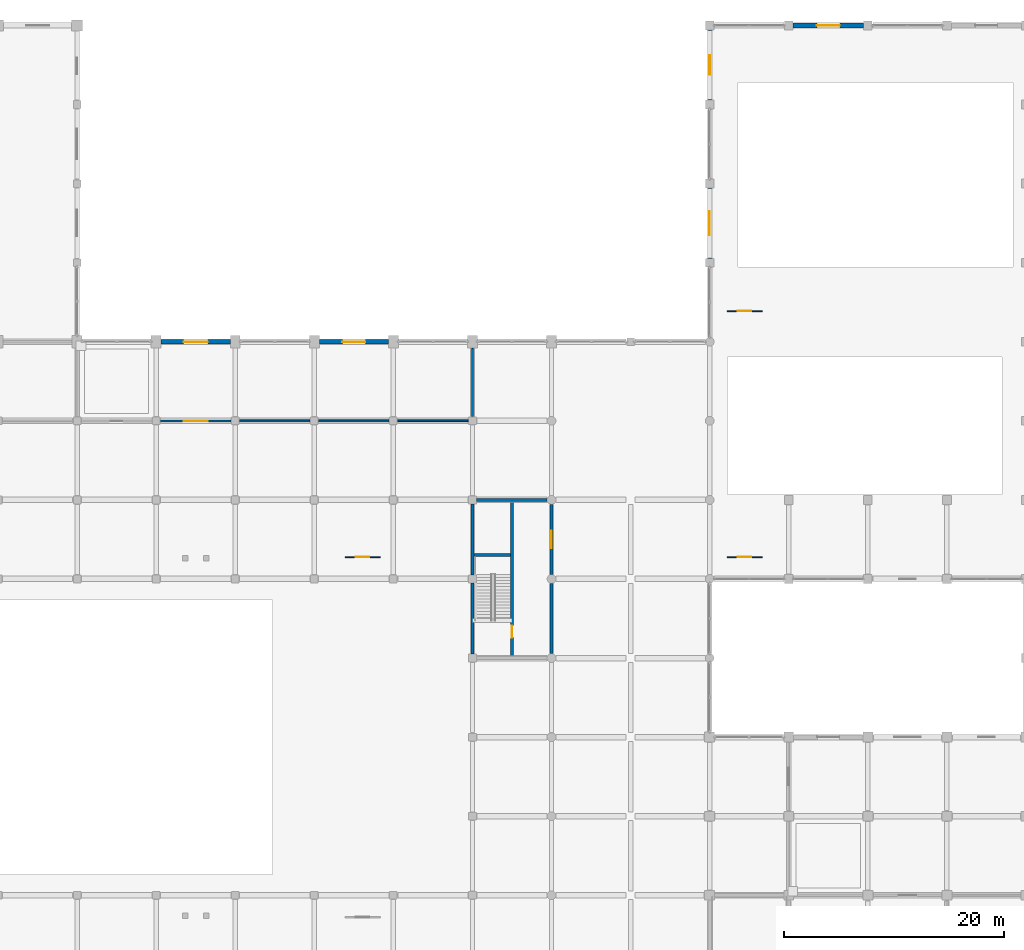
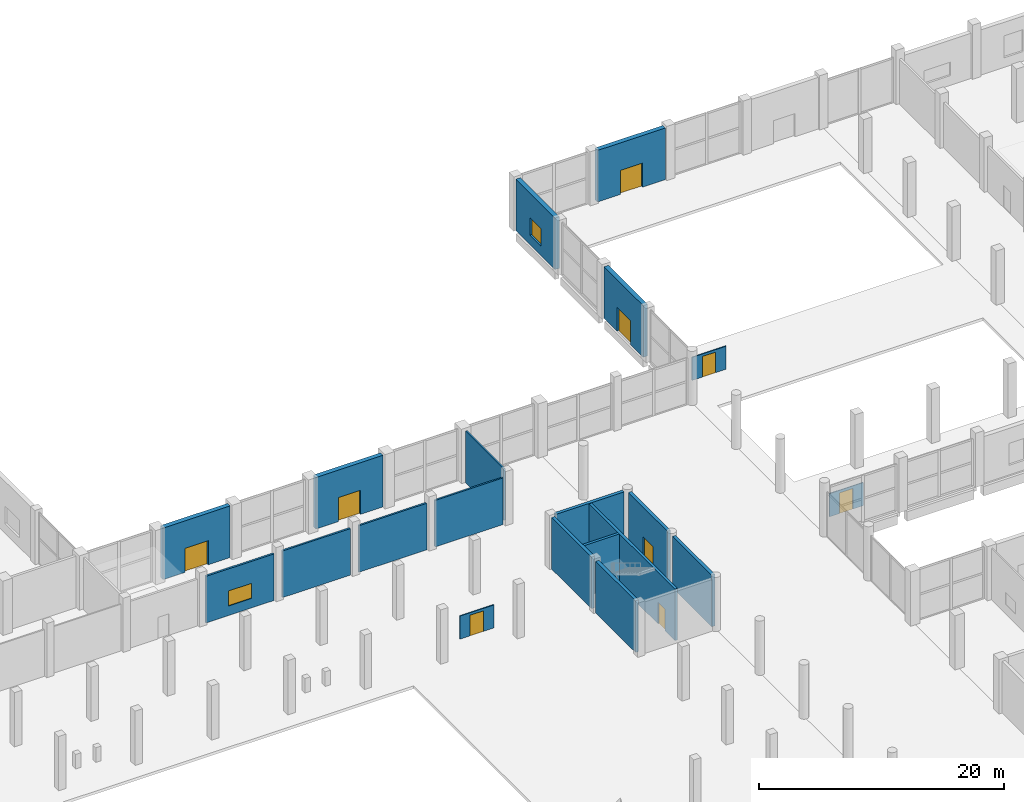
# One storey, part 49 of 70: 20 walls, 9 doors, 2 windows, 11 openings.
"""IFC4 building model written with IfcOpenShell, lengths in metres."""

from ifc_helpers import new_model, si_unit, direction, frame, frame_2d, origin, place, context, subcontext, project, spatial, rectangle, extrude, material, layer, layer_set, type_object, element, fill, save


model = new_model("IFC4")

# Units and contexts
model_context = context("Model", 3, precision=1e-05, world=origin(), true_north=direction((0.0, 1.0)))
body_context = subcontext(model_context, "Body", "Model", "MODEL_VIEW")
ifc_project = project(units=[si_unit("LENGTHUNIT", "METRE"), si_unit("AREAUNIT", "SQUARE_METRE"), si_unit("VOLUMEUNIT", "CUBIC_METRE"), si_unit("PLANEANGLEUNIT", "RADIAN"), si_unit("MASSUNIT", "GRAM", prefix="KILO")], contexts=[model_context])

# Site, building, storey
site_placement = place(None, origin())
site = spatial("IfcSite", under=ifc_project, at=site_placement, CompositionType="ELEMENT")
building_placement = place(site_placement, origin())
building = spatial("IfcBuilding", under=site, at=building_placement, Name="Vesperath Aquatics Centre", CompositionType="ELEMENT")
storey_placement = place(building_placement, origin())
storey = spatial("IfcBuildingStorey", under=building, at=storey_placement, Name="L00", CompositionType="ELEMENT", Elevation=0.0)

# Wall, opening, door
ifc_material_1 = material(Name="Liaoning grey granite ashlar insulated cavity wall", Category="masonry")
ifc_layer_1 = layer(ifc_material_1, 0.419921875)
ifc_layer_set_1 = layer_set([ifc_layer_1], Name="Liaoning grey granite ashlar insulated cavity wall")
wall_type_1 = type_object("IfcWallType", Name="WL-EW01", PredefinedType="SOLIDWALL", material=ifc_layer_set_1)
wall_1_placement = place(storey_placement, frame((65.25, 86.39990234375, 0.0), z_axis=(0.0, 0.0, 1.0), x_axis=(1.0, 0.0, 0.0)))
wall_1 = element("IfcWall", 1, at=wall_1_placement, inside=storey, type_object=wall_type_1, Name="Exterior Wall EW01 L00_N_09_12", PredefinedType="SOLIDWALL", context=body_context, shape_type="SweptSolid", body=[
    extrude(rectangle(XDim=6.300048828125, YDim=0.419921875, at=frame_2d((3.14990234375, 0.0))), origin(), (0.0, 0.0, 1.0), 5.139892578125),
])
opening_1_placement = place(wall_1_placement, frame((2.050048828125, 0.0, 0.0)))
opening_1 = element("IfcOpeningElement", 2, at=opening_1_placement, cuts=wall_1, Name="Opening EX01", PredefinedType="OPENING", context=body_context, shape_type="SweptSolid", body=[
    extrude(rectangle(XDim=2.199951171875, YDim=2.39990234375, at=frame_2d((1.10009765625, 1.199951171875))), frame((0.0, 0.224853515625, 0.0), z_axis=(0.0, -1.0, 0.0), x_axis=(1.0, 0.0, 0.0)), (0.0, 0.0, 1.0), 0.44970703125),
])
ifc_material_2 = material(Name="Thermally broken bronze-anodised glazed aluminium door", Category="aluminium")
door_type_1 = type_object("IfcDoorType", Name="DR-EX01", OperationType="DOUBLE_SWING_LEFT", PredefinedType="DOOR", material=ifc_material_2)
door_1_placement = place(opening_1_placement, origin())
door_1 = element("IfcDoor", 3, at=door_1_placement, inside=storey, type_object=door_type_1, Name="Final Exit Door EX01 L00_N_09_12", OperationType="DOUBLE_SWING_LEFT", OverallHeight=2.39990234375, OverallWidth=2.199951171875, PredefinedType="DOOR", context=body_context, shape_type="SweptSolid", body=[
    extrude(rectangle(XDim=2.199951171875, YDim=2.39990234375, at=frame_2d((1.10009765625, 1.199951171875))), frame((0.0, 0.02490234375, 0.0), z_axis=(0.0, -1.0, 0.0), x_axis=(1.0, 0.0, 0.0)), (0.0, 0.0, 1.0), 0.050048828125),
])
fill(opening_1, door_1)

wall_2_placement = place(storey_placement, frame((79.64990234375, 86.39990234375, 0.0), z_axis=(0.0, 0.0, 1.0), x_axis=(1.0, 0.0, 0.0)))
wall_2 = element("IfcWall", 4, at=wall_2_placement, inside=storey, type_object=wall_type_1, Name="Exterior Wall EW01 L00_N_11_12", PredefinedType="SOLIDWALL", context=body_context, shape_type="SweptSolid", body=[
    extrude(rectangle(XDim=6.300048828125, YDim=0.419921875, at=frame_2d((3.14990234375, 0.0))), origin(), (0.0, 0.0, 1.0), 5.139892578125),
])
opening_2_placement = place(wall_2_placement, frame((2.10009765625, 0.0, 0.0)))
opening_2 = element("IfcOpeningElement", 5, at=opening_2_placement, cuts=wall_2, Name="Opening EX02", PredefinedType="OPENING", context=body_context, shape_type="SweptSolid", body=[
    extrude(rectangle(XDim=2.10009765625, YDim=2.39990234375, at=frame_2d((1.050048828125, 1.199951171875))), frame((0.0, 0.224853515625, 0.0), z_axis=(0.0, -1.0, 0.0), x_axis=(1.0, 0.0, 0.0)), (0.0, 0.0, 1.0), 0.44970703125),
])
door_type_2 = type_object("IfcDoorType", Name="DR-EX02", OperationType="DOUBLE_SWING_LEFT", PredefinedType="DOOR", material=ifc_material_2)
door_2_placement = place(opening_2_placement, origin())
door_2 = element("IfcDoor", 6, at=door_2_placement, inside=storey, type_object=door_type_2, Name="Final Exit Door EX02 L00_N_11_12", OperationType="DOUBLE_SWING_LEFT", OverallHeight=2.39990234375, OverallWidth=2.10009765625, PredefinedType="DOOR", context=body_context, shape_type="SweptSolid", body=[
    extrude(rectangle(XDim=2.10009765625, YDim=2.39990234375, at=frame_2d((1.050048828125, 1.199951171875))), frame((0.0, 0.02490234375, 0.0), z_axis=(0.0, -1.0, 0.0), x_axis=(1.0, 0.0, 0.0)), (0.0, 0.0, 1.0), 0.050048828125),
])
fill(opening_2, door_2)

wall_3_placement = place(storey_placement, frame((122.800048828125, 115.199951171875, 0.0), z_axis=(0.0, 0.0, 1.0), x_axis=(1.0, 0.0, 0.0)))
wall_3 = element("IfcWall", 7, at=wall_3_placement, inside=storey, type_object=wall_type_1, Name="Exterior Wall EW01 L00_N_17_16", PredefinedType="SOLIDWALL", context=body_context, shape_type="SweptSolid", body=[
    extrude(rectangle(XDim=6.39990234375, YDim=0.419921875, at=frame_2d((3.199951171875, 0.0))), origin(), (0.0, 0.0, 1.0), 5.139892578125),
])
opening_3_placement = place(wall_3_placement, frame((2.14990234375, 0.0, 0.0)))
opening_3 = element("IfcOpeningElement", 8, at=opening_3_placement, cuts=wall_3, Name="Opening EX02", PredefinedType="OPENING", context=body_context, shape_type="SweptSolid", body=[
    extrude(rectangle(XDim=2.10009765625, YDim=2.39990234375, at=frame_2d((1.050048828125, 1.199951171875))), frame((0.0, 0.224853515625, 0.0), z_axis=(0.0, -1.0, 0.0), x_axis=(1.0, 0.0, 0.0)), (0.0, 0.0, 1.0), 0.44970703125),
])
door_3_placement = place(opening_3_placement, origin())
door_3 = element("IfcDoor", 9, at=door_3_placement, inside=storey, type_object=door_type_2, Name="Final Exit Door EX02 L00_N_17_16", OperationType="DOUBLE_SWING_LEFT", OverallHeight=2.39990234375, OverallWidth=2.10009765625, PredefinedType="DOOR", context=body_context, shape_type="SweptSolid", body=[
    extrude(rectangle(XDim=2.10009765625, YDim=2.39990234375, at=frame_2d((1.050048828125, 1.199951171875))), frame((0.0, 0.02490234375, 0.0), z_axis=(0.0, -1.0, 0.0), x_axis=(1.0, 0.0, 0.0)), (0.0, 0.0, 1.0), 0.050048828125),
])
fill(opening_3, door_3)

wall_4_placement = place(storey_placement, frame((115.199951171875, 94.0, 0.0), z_axis=(0.0, 0.0, 1.0), x_axis=(0.0, 1.0, 0.0)))
wall_4 = element("IfcWall", 10, at=wall_4_placement, inside=storey, type_object=wall_type_1, Name="Exterior Wall EW01 L00_W_16_13", PredefinedType="SOLIDWALL", context=body_context, shape_type="SweptSolid", body=[
    extrude(rectangle(XDim=6.39990234375, YDim=0.419921875, at=frame_2d((3.199951171875, 0.0))), origin(), (0.0, 0.0, 1.0), 5.139892578125),
])
opening_4_placement = place(wall_4_placement, frame((2.10009765625, 0.0, 0.0)))
opening_4 = element("IfcOpeningElement", 11, at=opening_4_placement, cuts=wall_4, Name="Opening EX01", PredefinedType="OPENING", context=body_context, shape_type="SweptSolid", body=[
    extrude(rectangle(XDim=2.199951171875, YDim=2.39990234375, at=frame_2d((1.10009765625, 1.199951171875))), frame((0.0, 0.224853515625, 0.0), z_axis=(0.0, -1.0, 0.0), x_axis=(1.0, 0.0, 0.0)), (0.0, 0.0, 1.0), 0.44970703125),
])
door_4_placement = place(opening_4_placement, origin())
door_4 = element("IfcDoor", 12, at=door_4_placement, inside=storey, type_object=door_type_1, Name="Final Exit Door EX01 L00_W_16_13", OperationType="DOUBLE_SWING_LEFT", OverallHeight=2.39990234375, OverallWidth=2.199951171875, PredefinedType="DOOR", context=body_context, shape_type="SweptSolid", body=[
    extrude(rectangle(XDim=2.199951171875, YDim=2.39990234375, at=frame_2d((1.10009765625, 1.199951171875))), frame((0.0, 0.02490234375, 0.0), z_axis=(0.0, -1.0, 0.0), x_axis=(1.0, 0.0, 0.0)), (0.0, 0.0, 1.0), 0.050048828125),
])
fill(opening_4, door_4)

# Wall, opening, window
wall_5_placement = place(storey_placement, frame((115.199951171875, 108.39990234375, 0.0), z_axis=(0.0, 0.0, 1.0), x_axis=(0.0, 1.0, 0.0)))
wall_5 = element("IfcWall", 13, at=wall_5_placement, inside=storey, type_object=wall_type_1, Name="Exterior Wall EW01 L00_W_16_15", PredefinedType="SOLIDWALL", context=body_context, shape_type="SweptSolid", body=[
    extrude(rectangle(XDim=6.400146484375, YDim=0.419921875, at=frame_2d((3.2001953125, 0.0))), origin(), (0.0, 0.0, 1.0), 5.139892578125),
])
opening_5_placement = place(wall_5_placement, frame((2.300048828125, 0.0, 0.949951171875)))
opening_5 = element("IfcOpeningElement", 14, at=opening_5_placement, cuts=wall_5, Name="Opening W12", PredefinedType="OPENING", context=body_context, shape_type="SweptSolid", body=[
    extrude(rectangle(XDim=1.800048828125, YDim=1.75, at=frame_2d((0.89990234375, 0.875))), frame((0.0, 0.224853515625, 0.0), z_axis=(0.0, -1.0, 0.0), x_axis=(1.0, 0.0, 0.0)), (0.0, 0.0, 1.0), 0.44970703125),
])
ifc_material_3 = material(Name="Thermally broken aluminium triple-glazed window", Category="aluminium")
window_type_1 = type_object("IfcWindowType", Name="WN-W12", PartitioningType="SINGLE_PANEL", PredefinedType="WINDOW", material=ifc_material_3)
window_1_placement = place(opening_5_placement, origin())
window_1 = element("IfcWindow", 15, at=window_1_placement, inside=storey, type_object=window_type_1, Name="Deep-Reveal Casement Window W12 L00_W_16_15", OverallHeight=1.75, OverallWidth=1.800048828125, PartitioningType="SINGLE_PANEL", PredefinedType="WINDOW", context=body_context, shape_type="SweptSolid", body=[
    extrude(rectangle(XDim=1.800048828125, YDim=1.75, at=frame_2d((0.89990234375, 0.875))), frame((0.0, 0.030029296875, 0.0), z_axis=(0.0, -1.0, 0.0), x_axis=(1.0, 0.0, 0.0)), (0.0, 0.0, 1.0), 0.06005859375),
])
fill(opening_5, window_1)

ifc_material_4 = material(Name="Double-stud acoustic studio partition", Category="gypsum")
ifc_layer_2 = layer(ifc_material_4, 0.18505859375)
ifc_layer_set_2 = layer_set([ifc_layer_2], Name="Double-stud acoustic studio partition")
wall_type_2 = type_object("IfcWallType", Name="WL-IW01", PredefinedType="PARTITIONING", material=ifc_layer_set_2)
wall_6_placement = place(storey_placement, frame((65.199951171875, 79.199951171875, 0.0), z_axis=(0.0, 0.0, 1.0), x_axis=(1.0, 0.0, 0.0)))
wall_6 = element("IfcWall", 16, at=wall_6_placement, inside=storey, type_object=wall_type_2, Name="Interior Partition IW01 L00_MEDIA_MIX-S2", PredefinedType="PARTITIONING", context=body_context, shape_type="SweptSolid", body=[
    extrude(rectangle(XDim=6.400146484375, YDim=0.18505859375, at=frame_2d((3.2001953125, 0.0))), origin(), (0.0, 0.0, 1.0), 4.639892578125),
])
opening_6_placement = place(wall_6_placement, frame((2.10009765625, 0.0, 0.949951171875)))
opening_6 = element("IfcOpeningElement", 17, at=opening_6_placement, cuts=wall_6, Name="Opening VW03", PredefinedType="OPENING", context=body_context, shape_type="SweptSolid", body=[
    extrude(rectangle(XDim=2.199951171875, YDim=1.5, at=frame_2d((1.10009765625, 0.75))), frame((0.0, 0.107421875, 0.0), z_axis=(0.0, -1.0, 0.0), x_axis=(1.0, 0.0, 0.0)), (0.0, 0.0, 1.0), 0.21484375),
])
ifc_material_5 = material(Name="Acoustic laminated interior viewing glazing", Category="glass")
window_type_2 = type_object("IfcWindowType", Name="WN-IW03", PartitioningType="SINGLE_PANEL", PredefinedType="WINDOW", material=ifc_material_5)
window_2_placement = place(opening_6_placement, origin())
window_2 = element("IfcWindow", 18, at=window_2_placement, inside=storey, type_object=window_type_2, Name="Interior Viewing Window VW03 L00_MEDIA_MIX", OverallHeight=1.5, OverallWidth=2.199951171875, PartitioningType="SINGLE_PANEL", PredefinedType="WINDOW", context=body_context, shape_type="SweptSolid", body=[
    extrude(rectangle(XDim=2.199951171875, YDim=1.5, at=frame_2d((1.10009765625, 0.75))), frame((0.0, 0.030029296875, 0.0), z_axis=(0.0, -1.0, 0.0), x_axis=(1.0, 0.0, 0.0)), (0.0, 0.0, 1.0), 0.06005859375),
])
fill(opening_6, window_2)

# Walls
ifc_material_6 = material(Name="Moisture-resistant tiled wet partition", Category="gypsum")
ifc_layer_3 = layer(ifc_material_6, 0.175048828125)
ifc_layer_set_3 = layer_set([ifc_layer_3], Name="Moisture-resistant tiled wet partition")
wall_type_3 = type_object("IfcWallType", Name="WL-IW02", PredefinedType="PARTITIONING", material=ifc_layer_set_3)
wall_7_placement = place(storey_placement, frame((72.39990234375, 79.199951171875, 0.0), z_axis=(0.0, 0.0, 1.0), x_axis=(1.0, 0.0, 0.0)))
element("IfcWall", 19, at=wall_7_placement, inside=storey, type_object=wall_type_3, Name="Interior Partition IW02 L00_MEDIA_MIX-S3", PredefinedType="PARTITIONING", context=body_context, shape_type="SweptSolid", body=[
    extrude(rectangle(XDim=6.400146484375, YDim=0.175048828125, at=frame_2d((3.2001953125, 0.0))), origin(), (0.0, 0.0, 1.0), 4.639892578125),
])
ifc_material_7 = material(Name="Corridor fire-rated gypsum partition", Category="gypsum")
ifc_layer_4 = layer(ifc_material_7, 0.16796875)
ifc_layer_set_4 = layer_set([ifc_layer_4], Name="Corridor fire-rated gypsum partition")
wall_type_4 = type_object("IfcWallType", Name="WL-IW03", PredefinedType="PARTITIONING", material=ifc_layer_set_4)
wall_8_placement = place(storey_placement, frame((79.60009765625, 79.199951171875, 0.0), z_axis=(0.0, 0.0, 1.0), x_axis=(1.0, 0.0, 0.0)))
element("IfcWall", 20, at=wall_8_placement, inside=storey, type_object=wall_type_4, Name="Interior Partition IW03 L00_MEDIA_MIX-S4", PredefinedType="PARTITIONING", context=body_context, shape_type="SweptSolid", body=[
    extrude(rectangle(XDim=6.39990234375, YDim=0.16796875, at=frame_2d((3.199951171875, 0.0))), origin(), (0.0, 0.0, 1.0), 4.639892578125),
])
ifc_material_8 = material(Name="Clinic acoustic partition", Category="gypsum")
ifc_layer_5 = layer(ifc_material_8, 0.159912109375)
ifc_layer_set_5 = layer_set([ifc_layer_5], Name="Clinic acoustic partition")
wall_type_5 = type_object("IfcWallType", Name="WL-IW04", PredefinedType="PARTITIONING", material=ifc_layer_set_5)
wall_9_placement = place(storey_placement, frame((86.800048828125, 79.199951171875, 0.0), z_axis=(0.0, 0.0, 1.0), x_axis=(1.0, 0.0, 0.0)))
element("IfcWall", 21, at=wall_9_placement, inside=storey, type_object=wall_type_5, Name="Interior Partition IW04 L00_MEDIA_MIX-S5", PredefinedType="PARTITIONING", context=body_context, shape_type="SweptSolid", body=[
    extrude(rectangle(XDim=6.39990234375, YDim=0.159912109375, at=frame_2d((3.199951171875, 0.0))), origin(), (0.0, 0.0, 1.0), 4.639892578125),
])
ifc_material_9 = material(Name="Laboratory clean partition", Category="gypsum")
ifc_layer_6 = layer(ifc_material_9, 0.152099609375)
ifc_layer_set_6 = layer_set([ifc_layer_6], Name="Laboratory clean partition")
wall_type_6 = type_object("IfcWallType", Name="WL-IW05", PredefinedType="PARTITIONING", material=ifc_layer_set_6)
wall_10_placement = place(storey_placement, frame((93.60009765625, 79.60009765625, 0.0), z_axis=(0.0, 0.0, 1.0), x_axis=(0.0, 1.0, 0.0)))
element("IfcWall", 22, at=wall_10_placement, inside=storey, type_object=wall_type_6, Name="Interior Partition IW05 L00_MEDIA_MIX-E1", PredefinedType="PARTITIONING", context=body_context, shape_type="SweptSolid", body=[
    extrude(rectangle(XDim=6.199951171875, YDim=0.152099609375, at=frame_2d((3.10009765625, 0.0))), origin(), (0.0, 0.0, 1.0), 5.139892578125),
])

# Wall, opening, door
ifc_material_10 = material(Name="Poolside glazed screen partition", Category="gypsum")
ifc_layer_7 = layer(ifc_material_10, 0.094970703125)
ifc_layer_set_7 = layer_set([ifc_layer_7], Name="Poolside glazed screen partition")
wall_type_7 = type_object("IfcWallType", Name="WL-IW13", PredefinedType="PARTITIONING", material=ifc_layer_set_7)
wall_11_placement = place(storey_placement, frame((82.0, 66.800048828125, 0.0), z_axis=(0.0, 0.0, 1.0), x_axis=(1.0, 0.0, 0.0)))
wall_11 = element("IfcWall", 23, at=wall_11_placement, inside=storey, type_object=wall_type_7, Name="Poolside Marshal Screen IW13-04", PredefinedType="PARTITIONING", context=body_context, shape_type="SweptSolid", body=[
    extrude(rectangle(XDim=3.199951171875, YDim=0.094970703125, at=frame_2d((1.60009765625, 0.0))), origin(), (0.0, 0.0, 1.0), 2.300048828125),
])
opening_7_placement = place(wall_11_placement, frame((0.949951171875, 0.0, 0.0)))
opening_7 = element("IfcOpeningElement", 24, at=opening_7_placement, cuts=wall_11, Name="Opening GT01", PredefinedType="OPENING", context=body_context, shape_type="SweptSolid", body=[
    extrude(rectangle(XDim=1.25, YDim=2.050048828125, at=frame_2d((0.625, 1.02490234375))), frame((0.0, 0.0625, 0.0), z_axis=(0.0, -1.0, 0.0), x_axis=(1.0, 0.0, 0.0)), (0.0, 0.0, 1.0), 0.124755859375),
])
ifc_material_11 = material(Name="Stainless steel poolside marshal gate", Category="steel")
door_type_3 = type_object("IfcDoorType", Name="DR-GT01", OperationType="NOTDEFINED", PredefinedType="GATE", material=ifc_material_11)
door_5_placement = place(opening_7_placement, origin())
door_5 = element("IfcDoor", 25, at=door_5_placement, inside=storey, type_object=door_type_3, Name="Poolside Marshal Gate GT01-04", OperationType="SINGLE_SWING_RIGHT", OverallHeight=2.050048828125, OverallWidth=1.25, PredefinedType="GATE", context=body_context, shape_type="SweptSolid", body=[
    extrude(rectangle(XDim=1.25, YDim=2.050048828125, at=frame_2d((0.625, 1.02490234375))), frame((0.0, 0.02490234375, 0.0), z_axis=(0.0, -1.0, 0.0), x_axis=(1.0, 0.0, 0.0)), (0.0, 0.0, 1.0), 0.050048828125),
])
fill(opening_7, door_5)

wall_12_placement = place(storey_placement, frame((116.800048828125, 66.800048828125, 0.0), z_axis=(0.0, 0.0, 1.0), x_axis=(1.0, 0.0, 0.0)))
wall_12 = element("IfcWall", 26, at=wall_12_placement, inside=storey, type_object=wall_type_7, Name="Poolside Marshal Screen IW13-05", PredefinedType="PARTITIONING", context=body_context, shape_type="SweptSolid", body=[
    extrude(rectangle(XDim=3.199951171875, YDim=0.094970703125, at=frame_2d((1.60009765625, 0.0))), origin(), (0.0, 0.0, 1.0), 2.300048828125),
])
opening_8_placement = place(wall_12_placement, frame((0.949951171875, 0.0, 0.0)))
opening_8 = element("IfcOpeningElement", 27, at=opening_8_placement, cuts=wall_12, Name="Opening GT01", PredefinedType="OPENING", context=body_context, shape_type="SweptSolid", body=[
    extrude(rectangle(XDim=1.25, YDim=2.050048828125, at=frame_2d((0.625, 1.02490234375))), frame((0.0, 0.0625, 0.0), z_axis=(0.0, -1.0, 0.0), x_axis=(1.0, 0.0, 0.0)), (0.0, 0.0, 1.0), 0.124755859375),
])
door_6_placement = place(opening_8_placement, origin())
door_6 = element("IfcDoor", 28, at=door_6_placement, inside=storey, type_object=door_type_3, Name="Poolside Marshal Gate GT01-05", OperationType="SINGLE_SWING_LEFT", OverallHeight=2.050048828125, OverallWidth=1.25, PredefinedType="GATE", context=body_context, shape_type="SweptSolid", body=[
    extrude(rectangle(XDim=1.25, YDim=2.050048828125, at=frame_2d((0.625, 1.02490234375))), frame((0.0, 0.02490234375, 0.0), z_axis=(0.0, -1.0, 0.0), x_axis=(1.0, 0.0, 0.0)), (0.0, 0.0, 1.0), 0.050048828125),
])
fill(opening_8, door_6)

wall_13_placement = place(storey_placement, frame((116.800048828125, 89.199951171875, 0.0), z_axis=(0.0, 0.0, 1.0), x_axis=(1.0, 0.0, 0.0)))
wall_13 = element("IfcWall", 29, at=wall_13_placement, inside=storey, type_object=wall_type_7, Name="Poolside Marshal Screen IW13-06", PredefinedType="PARTITIONING", context=body_context, shape_type="SweptSolid", body=[
    extrude(rectangle(XDim=3.199951171875, YDim=0.094970703125, at=frame_2d((1.60009765625, 0.0))), origin(), (0.0, 0.0, 1.0), 2.300048828125),
])
opening_9_placement = place(wall_13_placement, frame((0.949951171875, 0.0, 0.0)))
opening_9 = element("IfcOpeningElement", 30, at=opening_9_placement, cuts=wall_13, Name="Opening GT01", PredefinedType="OPENING", context=body_context, shape_type="SweptSolid", body=[
    extrude(rectangle(XDim=1.25, YDim=2.050048828125, at=frame_2d((0.625, 1.02490234375))), frame((0.0, 0.0625, 0.0), z_axis=(0.0, -1.0, 0.0), x_axis=(1.0, 0.0, 0.0)), (0.0, 0.0, 1.0), 0.124755859375),
])
door_7_placement = place(opening_9_placement, origin())
door_7 = element("IfcDoor", 31, at=door_7_placement, inside=storey, type_object=door_type_3, Name="Poolside Marshal Gate GT01-06", OperationType="SINGLE_SWING_RIGHT", OverallHeight=2.050048828125, OverallWidth=1.25, PredefinedType="GATE", context=body_context, shape_type="SweptSolid", body=[
    extrude(rectangle(XDim=1.25, YDim=2.050048828125, at=frame_2d((0.625, 1.02490234375))), frame((0.0, 0.02490234375, 0.0), z_axis=(0.0, -1.0, 0.0), x_axis=(1.0, 0.0, 0.0)), (0.0, 0.0, 1.0), 0.050048828125),
])
fill(opening_9, door_7)

# Walls
ifc_material_12 = material(Name="Concrete C40", Category="concrete")
ifc_layer_8 = layer(ifc_material_12, 0.300048828125)
ifc_layer_set_8 = layer_set([ifc_layer_8], Name="Concrete C40")
wall_type_8 = type_object("IfcWallType", Name="WL-SW01", PredefinedType="SHEAR", material=ifc_layer_set_8)
wall_14_placement = place(storey_placement, frame((93.949951171875, 72.0, 0.0), z_axis=(0.0, 0.0, 1.0), x_axis=(1.0, 0.0, 0.0)))
element("IfcWall", 32, at=wall_14_placement, inside=storey, type_object=wall_type_8, Name="Core C8 North Shear Wall SW01 L00", PredefinedType="SHEAR", context=body_context, shape_type="SweptSolid", body=[
    extrude(rectangle(XDim=6.449951171875, YDim=0.300048828125, at=frame_2d((3.22509765625, 0.0))), origin(), (0.0, 0.0, 1.0), 5.139892578125),
])
for number, where, z_axis, x_axis, name in (
    (33, (93.60009765625, 57.949951171875, 0.0), (0.0, 0.0, 1.0), (0.0, 1.0, 0.0), "Core C8 West-1 Shear Wall SW01 L00"),
    (34, (93.60009765625, 65.14990234375, 0.0), (0.0, 0.0, 1.0), (0.0, 1.0, 0.0), "Core C8 West-2 Shear Wall SW01 L00"),
):
    element("IfcWall", number, at=place(storey_placement, frame(where, z_axis=z_axis, x_axis=x_axis)), inside=storey, type_object=wall_type_8, Name=name, PredefinedType="SHEAR", context=body_context, shape_type="SweptSolid", body=[
        extrude(rectangle(XDim=6.5, YDim=0.300048828125, at=frame_2d((3.25, 0.0))), origin(), (0.0, 0.0, 1.0), 5.139892578125),
    ])
wall_15_placement = place(storey_placement, frame((100.800048828125, 58.0, 0.0), z_axis=(0.0, 0.0, 1.0), x_axis=(0.0, 1.0, 0.0)))
element("IfcWall", 35, at=wall_15_placement, inside=storey, type_object=wall_type_8, Name="Core C8 East-1 Shear Wall SW01 L00", PredefinedType="SHEAR", context=body_context, shape_type="SweptSolid", body=[
    extrude(rectangle(XDim=6.39990234375, YDim=0.300048828125, at=frame_2d((3.199951171875, 0.0))), origin(), (0.0, 0.0, 1.0), 5.139892578125),
])

# Wall, opening, door
wall_16_placement = place(storey_placement, frame((100.800048828125, 65.199951171875, 0.0), z_axis=(0.0, 0.0, 1.0), x_axis=(0.0, 1.0, 0.0)))
wall_16 = element("IfcWall", 36, at=wall_16_placement, inside=storey, type_object=wall_type_8, Name="Core C8 East-2 Shear Wall SW01 L00", PredefinedType="SHEAR", context=body_context, shape_type="SweptSolid", body=[
    extrude(rectangle(XDim=6.400146484375, YDim=0.300048828125, at=frame_2d((3.2001953125, 0.0))), origin(), (0.0, 0.0, 1.0), 5.139892578125),
])
opening_10_placement = place(wall_16_placement, frame((2.39990234375, 0.0, 0.0)))
opening_10 = element("IfcOpeningElement", 37, at=opening_10_placement, cuts=wall_16, Name="Opening D02", PredefinedType="OPENING", context=body_context, shape_type="SweptSolid", body=[
    extrude(rectangle(XDim=1.60009765625, YDim=2.199951171875, at=frame_2d((0.800048828125, 1.10009765625))), frame((0.0, 0.1650390625, 0.0), z_axis=(0.0, -1.0, 0.0), x_axis=(1.0, 0.0, 0.0)), (0.0, 0.0, 1.0), 0.329833984375),
])
ifc_material_13 = material(Name="Glazed fire-rated lobby double door", Category="steel")
door_type_4 = type_object("IfcDoorType", Name="DR-FD02", OperationType="DOUBLE_SWING_LEFT", PredefinedType="DOOR", material=ifc_material_13)
door_8_placement = place(opening_10_placement, frame((1.60009765625, 0.0, 0.0), z_axis=(0.0, 0.0, 1.0), x_axis=(-1.0, 0.0, 0.0)))
door_8 = element("IfcDoor", 38, at=door_8_placement, inside=storey, type_object=door_type_4, Name="Core C8 Lobby Fire Door D02 L00", OperationType="DOUBLE_SWING_LEFT", OverallHeight=2.199951171875, OverallWidth=1.60009765625, PredefinedType="DOOR", context=body_context, shape_type="SweptSolid", body=[
    extrude(rectangle(XDim=1.60009765625, YDim=2.199951171875, at=frame_2d((0.800048828125, 1.10009765625))), frame((0.0, 0.02490234375, 0.0), z_axis=(0.0, -1.0, 0.0), x_axis=(1.0, 0.0, 0.0)), (0.0, 0.0, 1.0), 0.050048828125),
])
fill(opening_10, door_8)

ifc_layer_9 = layer(ifc_material_12, 0.260009765625)
ifc_layer_set_9 = layer_set([ifc_layer_9], Name="Concrete C40")
wall_type_9 = type_object("IfcWallType", Name="WL-SW03", PredefinedType="SHEAR", material=ifc_layer_set_9)
wall_17_placement = place(storey_placement, frame((97.199951171875, 57.800048828125, 0.0), z_axis=(0.0, 0.0, 1.0), x_axis=(0.0, 1.0, 0.0)))
wall_17 = element("IfcWall", 39, at=wall_17_placement, inside=storey, type_object=wall_type_9, Name="Core C8 Spine Shear Wall SW03 L00", PredefinedType="SHEAR", context=body_context, shape_type="SweptSolid", body=[
    extrude(rectangle(XDim=14.0, YDim=0.260009765625, at=frame_2d((7.0, 0.0))), origin(), (0.0, 0.0, 1.0), 5.139892578125),
])
opening_11_placement = place(wall_17_placement, frame((1.64990234375, 0.0, 0.0)))
opening_11 = element("IfcOpeningElement", 40, at=opening_11_placement, cuts=wall_17, Name="Opening D01", PredefinedType="OPENING", context=body_context, shape_type="SweptSolid", body=[
    extrude(rectangle(XDim=1.10009765625, YDim=2.14990234375, at=frame_2d((0.550048828125, 1.074951171875))), frame((0.0, 0.14501953125, 0.0), z_axis=(0.0, -1.0, 0.0), x_axis=(1.0, 0.0, 0.0)), (0.0, 0.0, 1.0), 0.289794921875),
])
ifc_material_14 = material(Name="Steel-faced acoustic fire door", Category="steel")
door_type_5 = type_object("IfcDoorType", Name="DR-FD01", OperationType="NOTDEFINED", PredefinedType="DOOR", material=ifc_material_14)
door_9_placement = place(opening_11_placement, origin())
door_9 = element("IfcDoor", 41, at=door_9_placement, inside=storey, type_object=door_type_5, Name="Stair ST8 Fire Door D01 L00", OperationType="SINGLE_SWING_RIGHT", OverallHeight=2.14990234375, OverallWidth=1.10009765625, PredefinedType="DOOR", context=body_context, shape_type="SweptSolid", body=[
    extrude(rectangle(XDim=1.10009765625, YDim=2.14990234375, at=frame_2d((0.550048828125, 1.074951171875))), frame((0.0, 0.02490234375, 0.0), z_axis=(0.0, -1.0, 0.0), x_axis=(1.0, 0.0, 0.0)), (0.0, 0.0, 1.0), 0.050048828125),
])
fill(opening_11, door_9)

# Wall
ifc_layer_10 = layer(ifc_material_12, 0.25)
ifc_layer_set_10 = layer_set([ifc_layer_10], Name="Concrete C40")
wall_type_10 = type_object("IfcWallType", Name="WL-SW04", PredefinedType="SHEAR", material=ifc_layer_set_10)
wall_18_placement = place(storey_placement, frame((93.760009765625, 66.97998046875, 0.0), z_axis=(0.0, 0.0, 1.0), x_axis=(1.0, 0.0, 0.0)))
element("IfcWall", 42, at=wall_18_placement, inside=storey, type_object=wall_type_10, Name="Core C8 Lift Shaft Wall SW04 L00", PredefinedType="SHEAR", context=body_context, shape_type="SweptSolid", body=[
    extrude(rectangle(XDim=3.300048828125, YDim=0.25, at=frame_2d((1.64990234375, 0.0))), origin(), (0.0, 0.0, 1.0), 5.139892578125),
])

save(model, "model.ifc")
